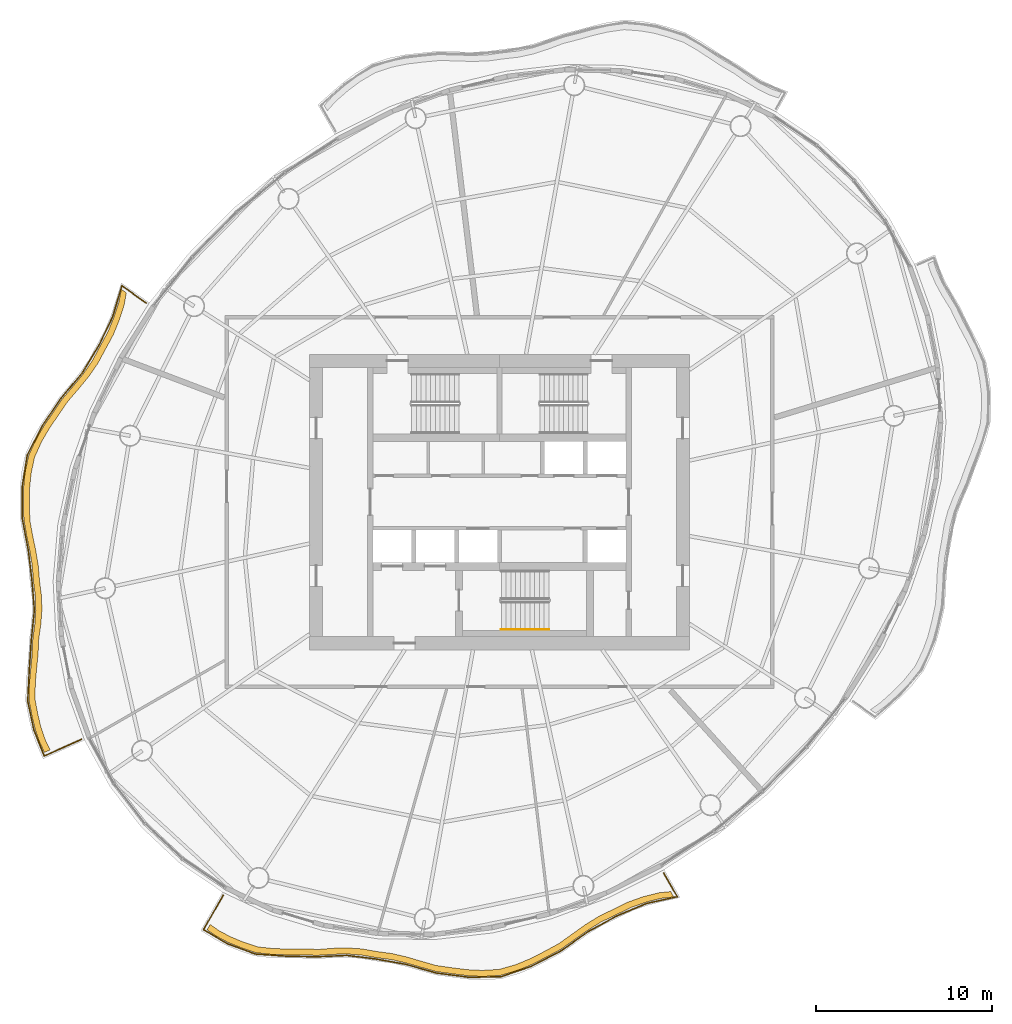
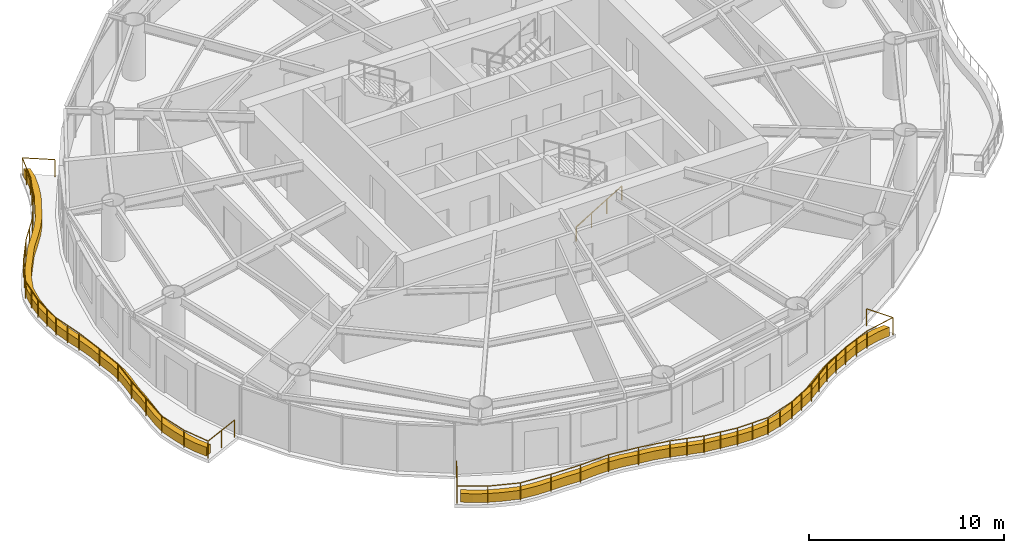
# One storey, part 12 of 14: 3 railings, 2 coverings.
"""IFC4 building model written with IfcOpenShell, lengths in metres."""

from ifc_helpers import new_model, si_unit, direction, frame, origin, origin_2d, place, context, subcontext, project, spatial, polyline, circle, outline, extrude, material, type_object, element, save


model = new_model("IFC4")

# Units and contexts
model_context = context("Model", 3, precision=1e-05, world=origin(), true_north=direction((0.0, 1.0)))
body_context = subcontext(model_context, "Body", "Model", "MODEL_VIEW")
ifc_project = project(units=[si_unit("LENGTHUNIT", "METRE"), si_unit("AREAUNIT", "SQUARE_METRE"), si_unit("VOLUMEUNIT", "CUBIC_METRE"), si_unit("PLANEANGLEUNIT", "RADIAN"), si_unit("MASSUNIT", "GRAM", prefix="KILO")], contexts=[model_context])

# Site, building, storey
site_placement = place(None, origin())
site = spatial("IfcSite", under=ifc_project, at=site_placement, CompositionType="ELEMENT")
building_placement = place(site_placement, origin())
building = spatial("IfcBuilding", under=site, at=building_placement, Name="Vermilion Reach Broadcast Tower", CompositionType="ELEMENT")
storey_placement = place(building_placement, frame((0.0, 0.0, 202.89990234375)))
storey = spatial("IfcBuildingStorey", under=building, at=storey_placement, Name="L49", CompositionType="ELEMENT", Elevation=202.89990234375)

# Coverings
ifc_material_1 = material(Name="Planting soil and greenery")
covering_type = type_object("IfcCoveringType", Name="Balcony PLANTER", PredefinedType="USERDEFINED", material=ifc_material_1)
placement = place(storey_placement, origin())
element("IfcCovering", 1, at=placement, inside=storey, type_object=covering_type, Name="PLANTER L49 group 2", ObjectType="PLANTER", PredefinedType="USERDEFINED", context=body_context, shape_type="SweptSolid", body=[
    extrude(outline(polyline([(-27.4990234375, 12.095703125), (-27.638427734375, 11.379150390625), (-27.918701171875, 10.510986328125), (-28.259033203125, 9.680419921875), (-28.7109375, 8.85009765625), (-29.151123046875, 8.03076171875), (-29.650390625, 7.305419921875), (-30.216796875, 6.61279296875), (-30.866943359375, 5.8505859375), (-31.4208984375, 5.035400390625), (-31.917236328125, 4.304931640625), (-32.358642578125, 3.55517578125), (-32.771484375, 2.637939453125), (-32.973388671875, 1.6767578125), (-33.056884765625, 0.84326171875), (-33.064208984375, -0.0068359375), (-33.044189453125, -0.99072265625), (-32.87646484375, -1.944580078125), (-32.704345703125, -2.773193359375), (-32.567626953125, -3.5986328125), (-32.498291015625, -4.494873046875), (-32.387939453125, -5.356689453125), (-32.364013671875, -6.147216796875), (-32.420166015625, -6.94189453125), (-32.539794921875, -7.835693359375), (-32.57666015625, -8.7265625), (-32.655029296875, -9.528564453125), (-32.730224609375, -10.329833984375), (-32.74560546875, -11.28759765625), (-32.572265625, -12.203125), (-32.393798828125, -12.941650390625), (-32.145751953125, -13.6552734375), (-31.866943359375, -14.234619140625), (-31.547607421875, -14.091552734375), (-31.816162109375, -13.537109375), (-32.064208984375, -12.823486328125), (-32.24267578125, -12.0849609375), (-32.408203125, -11.194091796875), (-32.386962890625, -10.261962890625), (-32.311767578125, -9.46044921875), (-32.2333984375, -8.658447265625), (-32.192626953125, -7.792236328125), (-32.070556640625, -6.92333984375), (-32.0146484375, -6.128662109375), (-32.03857421875, -5.337890625), (-32.1484375, -4.499755859375), (-32.218994140625, -3.62744140625), (-32.35546875, -2.8017578125), (-32.527587890625, -1.973388671875), (-32.697998046875, -1.041748046875), (-32.721923828125, -0.079833984375), (-32.714599609375, 0.77001953125), (-32.631103515625, 1.603759765625), (-32.434326171875, 2.5439453125), (-32.02783203125, 3.44091796875), (-31.58642578125, 4.190673828125), (-31.08984375, 4.921142578125), (-30.543212890625, 5.71728515625), (-29.901611328125, 6.460693359375), (-29.3349609375, 7.1533203125), (-28.8359375, 7.878662109375), (-28.40478515625, 8.6806640625), (-27.962890625, 9.493896484375), (-27.62255859375, 10.32421875), (-27.34228515625, 11.192626953125), (-27.213623046875, 11.89306640625), (-27.4990234375, 12.095703125)])), origin(), (0.0, 0.0, 1.0), 0.550048828125),
])
element("IfcCovering", 2, at=placement, inside=storey, type_object=covering_type, Name="PLANTER L49 group 3", ObjectType="PLANTER", PredefinedType="USERDEFINED", context=body_context, shape_type="SweptSolid", body=[
    extrude(outline(polyline([(-22.62255859375, -24.3173828125), (-22.094482421875, -24.684326171875), (-21.42626953125, -25.03857421875), (-20.72607421875, -25.324951171875), (-19.840576171875, -25.62060546875), (-18.886962890625, -25.724609375), (-18.085693359375, -25.739501953125), (-17.279541015625, -25.737060546875), (-16.376953125, -25.773193359375), (-15.463623046875, -25.712158203125), (-14.6611328125, -25.694091796875), (-13.8701171875, -25.75), (-13.019287109375, -25.8984375), (-12.136474609375, -26.013671875), (-11.327392578125, -26.199462890625), (-10.51904296875, -26.43505859375), (-9.593994140625, -26.694580078125), (-8.622802734375, -26.827392578125), (-7.7724609375, -26.93359375), (-6.9296875, -26.97265625), (-5.94775390625, -26.910888671875), (-4.9833984375, -26.6337890625), (-4.185791015625, -26.3046875), (-3.40478515625, -25.90576171875), (-2.5302734375, -25.440185546875), (-1.705078125, -24.855224609375), (-0.97021484375, -24.333251953125), (-0.21435546875, -23.868408203125), (0.627685546875, -23.4638671875), (1.4755859375, -23.04931640625), (2.315185546875, -22.75146484375), (3.1923828125, -22.528076171875), (3.90625, -22.44921875), (3.732177734375, -22.1455078125), (3.03515625, -22.21533203125), (2.157958984375, -22.438720703125), (1.318359375, -22.73681640625), (0.48828125, -23.142822265625), (-0.335205078125, -23.5400390625), (-1.09130859375, -24.0048828125), (-1.826171875, -24.52685546875), (-2.6318359375, -25.105224609375), (-3.486572265625, -25.565673828125), (-4.267578125, -25.96435546875), (-5.0654296875, -26.29345703125), (-6.0087890625, -26.56640625), (-6.9697265625, -26.625), (-7.812255859375, -26.585693359375), (-8.66259765625, -26.479736328125), (-9.611572265625, -26.344970703125), (-10.51416015625, -26.085205078125), (-11.322509765625, -25.849609375), (-12.131591796875, -25.66357421875), (-12.99072265625, -25.549560546875), (-13.81787109375, -25.40380859375), (-14.609130859375, -25.347900390625), (-15.411376953125, -25.365966796875), (-16.30029296875, -25.431640625), (-17.178955078125, -25.40185546875), (-17.985107421875, -25.404296875), (-18.7861328125, -25.389404296875), (-19.715087890625, -25.2939453125), (-20.57666015625, -25.00830078125), (-21.27685546875, -24.72216796875), (-21.945068359375, -24.36767578125), (-22.44921875, -24.013427734375), (-22.62255859375, -24.3173828125)])), origin(), (0.0, 0.0, 1.0), 0.550048828125),
])

# Railings
ifc_material_2 = material(Name="Stainless steel 316 balustrade", Category="steel")
railing_type_1 = type_object("IfcRailingType", Name="Balcony guard 1100", PredefinedType="BALUSTRADE", material=ifc_material_2)
railing_1_placement = place(storey_placement, frame((-26.091552734375, 11.3173828125, 0.0)))
element("IfcRailing", 3, at=railing_1_placement, inside=storey, type_object=railing_type_1, Name="Balcony guard L49 group 2", PredefinedType="BALUSTRADE", context=body_context, shape_type="SweptSolid", body=[
    extrude(circle(Radius=0.02490234375, at=origin_2d()), frame((0.0, 0.0, 1.0751953125), z_axis=(-0.815566593728, 0.578663227789, 0.0), x_axis=(-0.578663227789, -0.815566593728, 0.0)), (0.0, 0.0, 1.0), 1.68798828125),
    extrude(circle(Radius=0.02490234375, at=origin_2d()), frame((-1.376708984375, 0.976806640625, 1.0751953125), z_axis=(-0.285250654601, -0.958452953488, 0.0), x_axis=(0.958452953488, -0.285250654601, 0.0)), (0.0, 0.0, 1.0), 1.816162109375),
    extrude(circle(Radius=0.02490234375, at=origin_2d()), frame((-1.894775390625, -0.763916015625, 1.0751953125), z_axis=(-0.430832486936, -0.902431918873, 0.0), x_axis=(0.902431918873, -0.430832486936, 0.0)), (0.0, 0.0, 1.0), 1.844482421875),
    extrude(circle(Radius=0.02490234375, at=origin_2d()), frame((-2.689453125, -2.428466796875, 1.0751953125), z_axis=(-0.519459659852, -0.854494974699, 0.0), x_axis=(0.854494974699, -0.519459659852, 0.0)), (0.0, 0.0, 1.0), 1.812255859375),
    extrude(circle(Radius=0.02490234375, at=origin_2d()), frame((-3.630859375, -3.97705078125, 1.0751953125), z_axis=(-0.640954610134, -0.767578782763, 0.0), x_axis=(0.767578782763, -0.640954610134, 0.0)), (0.0, 0.0, 1.0), 1.901123046875),
    extrude(circle(Radius=0.02490234375, at=origin_2d()), frame((-4.849365234375, -5.436279296875, 1.0751953125), z_axis=(-0.561568342977, -0.82743035729, 0.0), x_axis=(0.82743035729, -0.561568342977, 0.0)), (0.0, 0.0, 1.0), 1.873291015625),
    extrude(circle(Radius=0.02490234375, at=origin_2d()), frame((-5.9013671875, -6.986328125, 1.0751953125), z_axis=(-0.455669882541, -0.890148840445, 0.0), x_axis=(0.890148840445, -0.455669882541, 0.0)), (0.0, 0.0, 1.0), 1.8779296875),
    extrude(circle(Radius=0.02490234375, at=origin_2d()), frame((-6.757080078125, -8.657958984375, 1.0751953125), z_axis=(-0.157159596381, -0.987573218179, 0.0), x_axis=(0.987573218179, -0.157159596381, 0.0)), (0.0, 0.0, 1.0), 1.822265625),
    extrude(circle(Radius=0.02490234375, at=origin_2d()), frame((-7.04345703125, -10.45751953125, 1.0751953125), z_axis=(0.006372679942, -0.999979694269, 0.0), x_axis=(0.999979694269, 0.006372679942, 0.0)), (0.0, 0.0, 1.0), 1.8388671875),
    extrude(circle(Radius=0.02490234375, at=origin_2d()), frame((-7.03173828125, -12.29638671875, 1.0751953125), z_axis=(0.186378314015, -0.982478052714, 0.0), x_axis=(0.982478052714, 0.186378314015, 0.0)), (0.0, 0.0, 1.0), 1.819580078125),
    extrude(circle(Radius=0.02490234375, at=origin_2d()), frame((-6.692626953125, -14.083984375, 1.0751953125), z_axis=(0.118331524351, -0.992974143845, 0.0), x_axis=(0.992974143845, 0.118331524351, 0.0)), (0.0, 0.0, 1.0), 1.7392578125),
    extrude(circle(Radius=0.02490234375, at=origin_2d()), frame((-6.48681640625, -15.81103515625, 1.0751953125), z_axis=(0.080737038314, -0.996735436635, 0.0), x_axis=(0.996735436635, 0.080737038314, 0.0)), (0.0, 0.0, 1.0), 1.6630859375),
    extrude(circle(Radius=0.02490234375, at=origin_2d()), frame((-6.3525390625, -17.46875, 1.0751953125), z_axis=(-0.102781772219, -0.994703929468, 0.0), x_axis=(0.994703929468, -0.102781772219, 0.0)), (0.0, 0.0, 1.0), 1.703125),
    extrude(circle(Radius=0.02490234375, at=origin_2d()), frame((-6.527587890625, -19.162841796875, 1.0751953125), z_axis=(-0.067118680389, -0.997744998856, 0.0), x_axis=(0.997744998856, -0.067118680389, 0.0)), (0.0, 0.0, 1.0), 1.702392578125),
    extrude(circle(Radius=0.02490234375, at=origin_2d()), frame((-6.641845703125, -20.861328125, 1.0751953125), z_axis=(-0.050564643688, -0.998720790216, 0.0), x_axis=(0.998720790216, -0.050564643688, 0.0)), (0.0, 0.0, 1.0), 1.76708984375),
    extrude(circle(Radius=0.02490234375, at=origin_2d()), frame((-6.731201171875, -22.626220703125, 1.0751953125), z_axis=(0.208438506019, -0.978035474412, 0.0), x_axis=(0.978035474412, 0.208438506019, 0.0)), (0.0, 0.0, 1.0), 1.697265625),
    extrude(circle(Radius=0.02490234375, at=origin_2d()), frame((-6.37744140625, -24.2861328125, 1.0751953125), z_axis=(0.372773587012, -0.927922331247, 0.0), x_axis=(0.927922331247, 0.372773587012, 0.0)), (0.0, 0.0, 1.0), 1.582275390625),
    extrude(circle(Radius=0.02490234375, at=origin_2d()), frame((-5.78759765625, -25.75439453125, 1.0751953125), z_axis=(0.91235719305, 0.409395105356, 0.0), x_axis=(-0.409395105356, 0.91235719305, 0.0)), (0.0, 0.0, 1.0), 2.314453125),
    extrude(circle(Radius=0.02490234375, at=origin_2d()), origin(), (0.0, 0.0, 1.0), 1.050048828125),
    extrude(circle(Radius=0.02490234375, at=origin_2d()), frame((-1.376708984375, 0.976806640625, 0.0)), (0.0, 0.0, 1.0), 1.050048828125),
    extrude(circle(Radius=0.02490234375, at=origin_2d()), frame((-1.6357421875, 0.1064453125, 0.0)), (0.0, 0.0, 1.0), 1.050048828125),
    extrude(circle(Radius=0.02490234375, at=origin_2d()), frame((-1.894775390625, -0.763916015625, 0.0)), (0.0, 0.0, 1.0), 1.050048828125),
    extrude(circle(Radius=0.02490234375, at=origin_2d()), frame((-2.2919921875, -1.59619140625, 0.0)), (0.0, 0.0, 1.0), 1.050048828125),
    extrude(circle(Radius=0.02490234375, at=origin_2d()), frame((-2.689453125, -2.428466796875, 0.0)), (0.0, 0.0, 1.0), 1.050048828125),
    extrude(circle(Radius=0.02490234375, at=origin_2d()), frame((-3.16015625, -3.20263671875, 0.0)), (0.0, 0.0, 1.0), 1.050048828125),
    extrude(circle(Radius=0.02490234375, at=origin_2d()), frame((-3.630859375, -3.97705078125, 0.0)), (0.0, 0.0, 1.0), 1.050048828125),
    extrude(circle(Radius=0.02490234375, at=origin_2d()), frame((-4.240234375, -4.70654296875, 0.0)), (0.0, 0.0, 1.0), 1.050048828125),
    extrude(circle(Radius=0.02490234375, at=origin_2d()), frame((-4.849365234375, -5.436279296875, 0.0)), (0.0, 0.0, 1.0), 1.050048828125),
    extrude(circle(Radius=0.02490234375, at=origin_2d()), frame((-5.37548828125, -6.21142578125, 0.0)), (0.0, 0.0, 1.0), 1.050048828125),
    extrude(circle(Radius=0.02490234375, at=origin_2d()), frame((-5.9013671875, -6.986328125, 0.0)), (0.0, 0.0, 1.0), 1.050048828125),
    extrude(circle(Radius=0.02490234375, at=origin_2d()), frame((-6.3291015625, -7.822265625, 0.0)), (0.0, 0.0, 1.0), 1.050048828125),
    extrude(circle(Radius=0.02490234375, at=origin_2d()), frame((-6.757080078125, -8.657958984375, 0.0)), (0.0, 0.0, 1.0), 1.050048828125),
    extrude(circle(Radius=0.02490234375, at=origin_2d()), frame((-6.900390625, -9.5576171875, 0.0)), (0.0, 0.0, 1.0), 1.050048828125),
    extrude(circle(Radius=0.02490234375, at=origin_2d()), frame((-7.04345703125, -10.45751953125, 0.0)), (0.0, 0.0, 1.0), 1.050048828125),
    extrude(circle(Radius=0.02490234375, at=origin_2d()), frame((-7.03759765625, -11.376953125, 0.0)), (0.0, 0.0, 1.0), 1.050048828125),
    extrude(circle(Radius=0.02490234375, at=origin_2d()), frame((-7.03173828125, -12.29638671875, 0.0)), (0.0, 0.0, 1.0), 1.050048828125),
    extrude(circle(Radius=0.02490234375, at=origin_2d()), frame((-6.8623046875, -13.190185546875, 0.0)), (0.0, 0.0, 1.0), 1.050048828125),
    extrude(circle(Radius=0.02490234375, at=origin_2d()), frame((-6.692626953125, -14.083984375, 0.0)), (0.0, 0.0, 1.0), 1.050048828125),
    extrude(circle(Radius=0.02490234375, at=origin_2d()), frame((-6.48681640625, -15.81103515625, 0.0)), (0.0, 0.0, 1.0), 1.050048828125),
    extrude(circle(Radius=0.02490234375, at=origin_2d()), frame((-6.3525390625, -17.46875, 0.0)), (0.0, 0.0, 1.0), 1.050048828125),
    extrude(circle(Radius=0.02490234375, at=origin_2d()), frame((-6.527587890625, -19.162841796875, 0.0)), (0.0, 0.0, 1.0), 1.050048828125),
    extrude(circle(Radius=0.02490234375, at=origin_2d()), frame((-6.641845703125, -20.861328125, 0.0)), (0.0, 0.0, 1.0), 1.050048828125),
    extrude(circle(Radius=0.02490234375, at=origin_2d()), frame((-6.731201171875, -22.626220703125, 0.0)), (0.0, 0.0, 1.0), 1.050048828125),
    extrude(circle(Radius=0.02490234375, at=origin_2d()), frame((-6.37744140625, -24.2861328125, 0.0)), (0.0, 0.0, 1.0), 1.050048828125),
    extrude(circle(Radius=0.02490234375, at=origin_2d()), frame((-5.78759765625, -25.75439453125, 0.0)), (0.0, 0.0, 1.0), 1.050048828125),
    extrude(circle(Radius=0.02490234375, at=origin_2d()), frame((-4.73193359375, -25.28076171875, 0.0)), (0.0, 0.0, 1.0), 1.050048828125),
    extrude(circle(Radius=0.02490234375, at=origin_2d()), frame((-3.676025390625, -24.806884765625, 0.0)), (0.0, 0.0, 1.0), 1.050048828125),
])
railing_2_placement = place(storey_placement, frame((-21.713134765625, -22.35986328125, 0.0)))
element("IfcRailing", 4, at=railing_2_placement, inside=storey, type_object=railing_type_1, Name="Balcony guard L49 group 3", PredefinedType="BALUSTRADE", context=body_context, shape_type="SweptSolid", body=[
    extrude(circle(Radius=0.02490234375, at=origin_2d()), frame((0.0, 0.0, 1.0751953125), z_axis=(-0.49527199446, -0.868737964811, 0.0), x_axis=(0.868737964811, -0.49527199446, 0.0)), (0.0, 0.0, 1.0), 2.244873046875),
    extrude(circle(Radius=0.02490234375, at=origin_2d()), frame((-1.11181640625, -1.9501953125, 1.0751953125), z_axis=(0.862382101689, -0.506257948764, 0.0), x_axis=(0.506257948764, 0.862382101689, 0.0)), (0.0, 0.0, 1.0), 1.582275390625),
    extrude(circle(Radius=0.02490234375, at=origin_2d()), frame((0.252685546875, -2.751220703125, 1.0751953125), z_axis=(0.938733482995, -0.344643943665, 0.0), x_axis=(0.344643943665, 0.938733482995, 0.0)), (0.0, 0.0, 1.0), 1.695068359375),
    extrude(circle(Radius=0.02490234375, at=origin_2d()), frame((1.843994140625, -3.33544921875, 1.0751953125), z_axis=(0.997661014242, -0.068355692238, 0.0), x_axis=(0.068355692238, 0.997661014242, 0.0)), (0.0, 0.0, 1.0), 1.764404296875),
    extrude(circle(Radius=0.02490234375, at=origin_2d()), frame((3.604248046875, -3.4560546875, 1.0751953125), z_axis=(0.999786869551, -0.020644986626, 0.0), x_axis=(0.020644986626, 0.999786869551, 0.0)), (0.0, 0.0, 1.0), 1.714599609375),
    extrude(circle(Radius=0.02490234375, at=origin_2d()), frame((5.318603515625, -3.491455078125, 1.0751953125), z_axis=(0.998971751025, 0.045336967853, 0.0), x_axis=(-0.045336967853, 0.998971751025, 0.0)), (0.0, 0.0, 1.0), 1.72314453125),
    extrude(circle(Radius=0.02490234375, at=origin_2d()), frame((7.0400390625, -3.413330078125, 1.0751953125), z_axis=(0.99235687201, -0.123401128741, 0.0), x_axis=(0.123401128741, 0.99235687201, 0.0)), (0.0, 0.0, 1.0), 1.659912109375),
    extrude(circle(Radius=0.02490234375, at=origin_2d()), frame((8.687255859375, -3.6181640625, 1.0751953125), z_axis=(0.98458473697, -0.174908249447, 0.0), x_axis=(0.174908249447, 0.98458473697, 0.0)), (0.0, 0.0, 1.0), 1.723876953125),
    extrude(circle(Radius=0.02490234375, at=origin_2d()), frame((10.384521484375, -3.919677734375, 1.0751953125), z_axis=(0.961793611623, -0.273775544272, 0.0), x_axis=(0.273775544272, 0.961793611623, 0.0)), (0.0, 0.0, 1.0), 1.8076171875),
    extrude(circle(Radius=0.02490234375, at=origin_2d()), frame((12.123046875, -4.41455078125, 1.0751953125), z_axis=(0.991581925838, -0.129480826189, 0.0), x_axis=(0.129480826189, 0.991581925838, 0.0)), (0.0, 0.0, 1.0), 1.84228515625),
    extrude(circle(Radius=0.02490234375, at=origin_2d()), frame((13.94970703125, -4.653076171875, 1.0751953125), z_axis=(0.999919658951, 0.012675789645, 0.0), x_axis=(-0.012675789645, 0.999919658951, 0.0)), (0.0, 0.0, 1.0), 1.829833984375),
    extrude(circle(Radius=0.02490234375, at=origin_2d()), frame((15.779296875, -4.6298828125, 1.0751953125), z_axis=(0.945675300432, 0.325112636103, 0.0), x_axis=(-0.325112636103, 0.945675300432, 0.0)), (0.0, 0.0, 1.0), 1.868408203125),
    extrude(circle(Radius=0.02490234375, at=origin_2d()), frame((17.546142578125, -4.0224609375, 1.0751953125), z_axis=(0.886708062067, 0.462329766146, 0.0), x_axis=(-0.462329766146, 0.886708062067, 0.0)), (0.0, 0.0, 1.0), 1.8720703125),
    extrude(circle(Radius=0.02490234375, at=origin_2d()), frame((19.2060546875, -3.156982421875, 1.0751953125), z_axis=(0.815904350267, 0.5781868999, 0.0), x_axis=(-0.5781868999, 0.815904350267, 0.0)), (0.0, 0.0, 1.0), 1.91748046875),
    extrude(circle(Radius=0.02490234375, at=origin_2d()), frame((20.7705078125, -2.04833984375, 1.0751953125), z_axis=(0.878585428955, 0.477585221744, 0.0), x_axis=(-0.477585221744, 0.878585428955, 0.0)), (0.0, 0.0, 1.0), 1.823486328125),
    extrude(circle(Radius=0.02490234375, at=origin_2d()), frame((22.37255859375, -1.177490234375, 1.0751953125), z_axis=(0.92118179297, 0.38913250224, 0.0), x_axis=(-0.38913250224, 0.92118179297, 0.0)), (0.0, 0.0, 1.0), 1.83642578125),
    extrude(circle(Radius=0.02490234375, at=origin_2d()), frame((24.064208984375, -0.462890625, 1.0751953125), z_axis=(0.976793572143, 0.214182906461, 0.0), x_axis=(-0.214182906461, 0.976793572143, 0.0)), (0.0, 0.0, 1.0), 1.797607421875),
    extrude(circle(Radius=0.02490234375, at=origin_2d()), frame((25.820068359375, -0.077880859375, 1.0751953125), z_axis=(-0.497590182444, 0.867412249358, 0.0), x_axis=(-0.867412249358, -0.497590182444, 0.0)), (0.0, 0.0, 1.0), 1.557373046875),
    extrude(circle(Radius=0.02490234375, at=origin_2d()), origin(), (0.0, 0.0, 1.0), 1.050048828125),
    extrude(circle(Radius=0.02490234375, at=origin_2d()), frame((-0.555908203125, -0.97509765625, 0.0)), (0.0, 0.0, 1.0), 1.050048828125),
    extrude(circle(Radius=0.02490234375, at=origin_2d()), frame((-1.11181640625, -1.9501953125, 0.0)), (0.0, 0.0, 1.0), 1.050048828125),
    extrude(circle(Radius=0.02490234375, at=origin_2d()), frame((0.252685546875, -2.751220703125, 0.0)), (0.0, 0.0, 1.0), 1.050048828125),
    extrude(circle(Radius=0.02490234375, at=origin_2d()), frame((1.843994140625, -3.33544921875, 0.0)), (0.0, 0.0, 1.0), 1.050048828125),
    extrude(circle(Radius=0.02490234375, at=origin_2d()), frame((3.604248046875, -3.4560546875, 0.0)), (0.0, 0.0, 1.0), 1.050048828125),
    extrude(circle(Radius=0.02490234375, at=origin_2d()), frame((5.318603515625, -3.491455078125, 0.0)), (0.0, 0.0, 1.0), 1.050048828125),
    extrude(circle(Radius=0.02490234375, at=origin_2d()), frame((7.0400390625, -3.413330078125, 0.0)), (0.0, 0.0, 1.0), 1.050048828125),
    extrude(circle(Radius=0.02490234375, at=origin_2d()), frame((8.687255859375, -3.6181640625, 0.0)), (0.0, 0.0, 1.0), 1.050048828125),
    extrude(circle(Radius=0.02490234375, at=origin_2d()), frame((10.384521484375, -3.919677734375, 0.0)), (0.0, 0.0, 1.0), 1.050048828125),
    extrude(circle(Radius=0.02490234375, at=origin_2d()), frame((11.25390625, -4.1669921875, 0.0)), (0.0, 0.0, 1.0), 1.050048828125),
    extrude(circle(Radius=0.02490234375, at=origin_2d()), frame((12.123046875, -4.41455078125, 0.0)), (0.0, 0.0, 1.0), 1.050048828125),
    extrude(circle(Radius=0.02490234375, at=origin_2d()), frame((13.036376953125, -4.53369140625, 0.0)), (0.0, 0.0, 1.0), 1.050048828125),
    extrude(circle(Radius=0.02490234375, at=origin_2d()), frame((13.94970703125, -4.653076171875, 0.0)), (0.0, 0.0, 1.0), 1.050048828125),
    extrude(circle(Radius=0.02490234375, at=origin_2d()), frame((14.864501953125, -4.6416015625, 0.0)), (0.0, 0.0, 1.0), 1.050048828125),
    extrude(circle(Radius=0.02490234375, at=origin_2d()), frame((15.779296875, -4.6298828125, 0.0)), (0.0, 0.0, 1.0), 1.050048828125),
    extrude(circle(Radius=0.02490234375, at=origin_2d()), frame((16.66259765625, -4.326171875, 0.0)), (0.0, 0.0, 1.0), 1.050048828125),
    extrude(circle(Radius=0.02490234375, at=origin_2d()), frame((17.546142578125, -4.0224609375, 0.0)), (0.0, 0.0, 1.0), 1.050048828125),
    extrude(circle(Radius=0.02490234375, at=origin_2d()), frame((18.3759765625, -3.58984375, 0.0)), (0.0, 0.0, 1.0), 1.050048828125),
    extrude(circle(Radius=0.02490234375, at=origin_2d()), frame((19.2060546875, -3.156982421875, 0.0)), (0.0, 0.0, 1.0), 1.050048828125),
    extrude(circle(Radius=0.02490234375, at=origin_2d()), frame((19.98828125, -2.6025390625, 0.0)), (0.0, 0.0, 1.0), 1.050048828125),
    extrude(circle(Radius=0.02490234375, at=origin_2d()), frame((20.7705078125, -2.04833984375, 0.0)), (0.0, 0.0, 1.0), 1.050048828125),
    extrude(circle(Radius=0.02490234375, at=origin_2d()), frame((21.571533203125, -1.61279296875, 0.0)), (0.0, 0.0, 1.0), 1.050048828125),
    extrude(circle(Radius=0.02490234375, at=origin_2d()), frame((22.37255859375, -1.177490234375, 0.0)), (0.0, 0.0, 1.0), 1.050048828125),
    extrude(circle(Radius=0.02490234375, at=origin_2d()), frame((23.21826171875, -0.8203125, 0.0)), (0.0, 0.0, 1.0), 1.050048828125),
    extrude(circle(Radius=0.02490234375, at=origin_2d()), frame((24.064208984375, -0.462890625, 0.0)), (0.0, 0.0, 1.0), 1.050048828125),
    extrude(circle(Radius=0.02490234375, at=origin_2d()), frame((25.820068359375, -0.077880859375, 0.0)), (0.0, 0.0, 1.0), 1.050048828125),
    extrude(circle(Radius=0.02490234375, at=origin_2d()), frame((25.045166015625, 1.27294921875, 0.0)), (0.0, 0.0, 1.0), 1.050048828125),
])
ifc_material_3 = material(Name="Stainless steel", Category="steel")
railing_type_2 = type_object("IfcRailingType", Name="Stair handrail", PredefinedType="HANDRAIL", material=ifc_material_3)
railing_3_placement = place(storey_placement, frame((-5.89990234375, -7.25, 0.163818359375)))
element("IfcRailing", 5, at=railing_3_placement, inside=storey, type_object=railing_type_2, Name="L49 ST3 stair handrail 1", PredefinedType="HANDRAIL", context=body_context, shape_type="SweptSolid", body=[
    extrude(circle(Radius=0.02392578125, at=origin_2d()), frame((0.0, 0.0, 0.8759765625), z_axis=(0.855212373127, 0.0, 0.518277721738), x_axis=(0.0, 1.0, 0.0)), (0.0, 0.0, 1.0), 3.156982421875),
    extrude(circle(Radius=0.02099609375, at=origin_2d()), origin(), (0.0, 0.0, 1.0), 0.851806640625),
    extrude(circle(Radius=0.02099609375, at=origin_2d()), frame((0.89990234375, 0.0, 0.54541015625)), (0.0, 0.0, 1.0), 0.851806640625),
    extrude(circle(Radius=0.02099609375, at=origin_2d()), frame((1.800048828125, 0.0, 1.0908203125)), (0.0, 0.0, 1.0), 0.851806640625),
    extrude(circle(Radius=0.02099609375, at=origin_2d()), frame((2.699951171875, 0.0, 1.63623046875)), (0.0, 0.0, 1.0), 0.851806640625),
])

save(model, "model.ifc")
